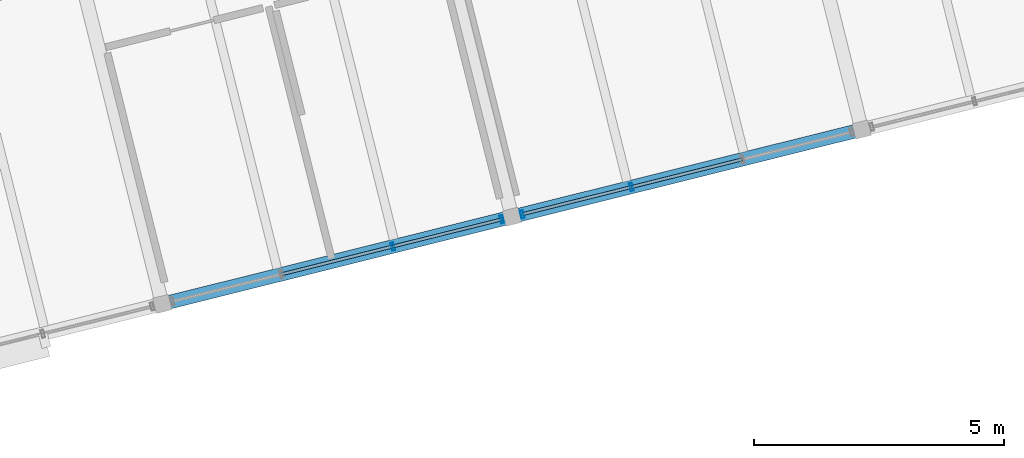
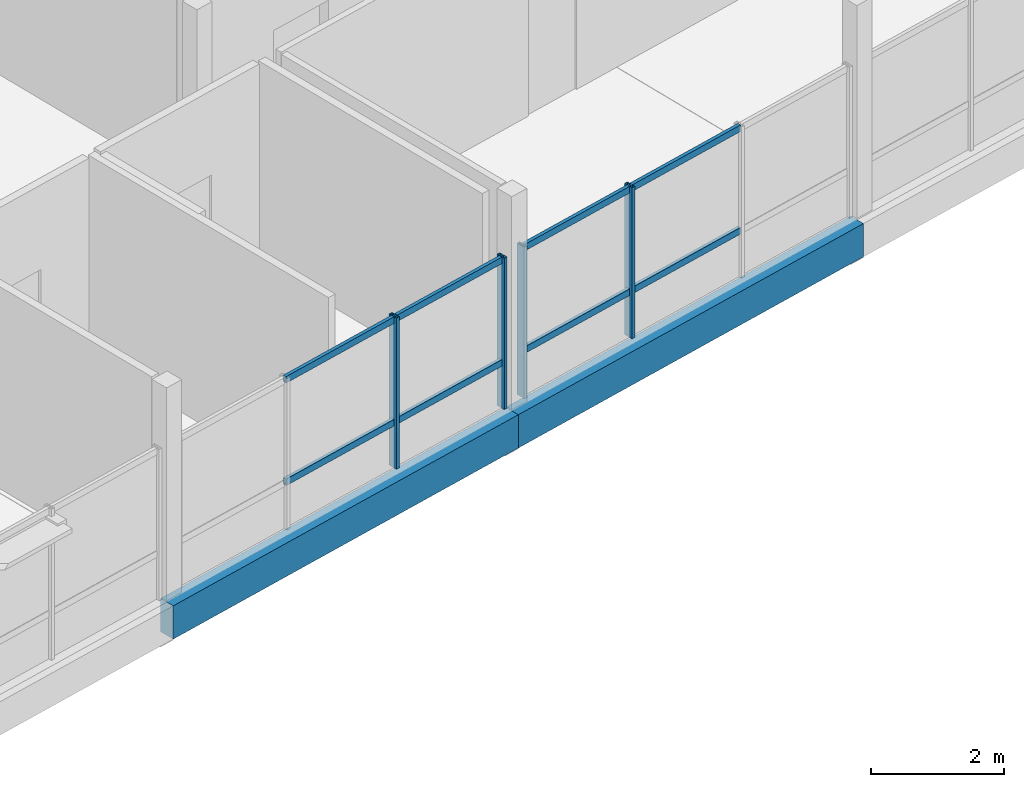
# One storey, part 7 of 25: 12 members, 2 beams, 2 elements without a shape of their own.
"""IFC4 building model written with IfcOpenShell, lengths in metres."""

from ifc_helpers import new_model, si_unit, direction, frame, origin, origin_2d, place, context, subcontext, project, spatial, rectangle, hollow_rectangle, extrude, material, layer, layer_set, material_profile, profile_set, type_object, element, aggregate, save


model = new_model("IFC4")

# Units and contexts
model_context = context("Model", 3, precision=1e-05, world=origin(), true_north=direction((0.0, 1.0)))
body_context = subcontext(model_context, "Body", "Model", "MODEL_VIEW")
ifc_project = project(units=[si_unit("LENGTHUNIT", "METRE"), si_unit("AREAUNIT", "SQUARE_METRE"), si_unit("VOLUMEUNIT", "CUBIC_METRE"), si_unit("PLANEANGLEUNIT", "RADIAN"), si_unit("MASSUNIT", "GRAM", prefix="KILO")], contexts=[model_context])

# Site, building, storey
site_placement = place(None, origin())
site = spatial("IfcSite", under=ifc_project, at=site_placement, CompositionType="ELEMENT")
building_placement = place(site_placement, origin())
building = spatial("IfcBuilding", under=site, at=building_placement, Name="Meriwether Solvik Hall", CompositionType="ELEMENT")
storey_placement = place(building_placement, frame((0.0, 0.0, 53.39990234375)))
storey = spatial("IfcBuildingStorey", under=building, at=storey_placement, Name="L13", CompositionType="ELEMENT", Elevation=53.39990234375)

# Beams
ifc_material_1 = material(Name="Glulam Douglas-Fir 24F-V8 GL28h", Category="wood")
ifc_material_profile_1 = material_profile(ifc_material_1, rectangle(XDim=0.27294921875, YDim=0.610107421875, at=origin_2d()), Name="GLB-273X610")
ifc_profile_set_1 = profile_set([ifc_material_profile_1], Name="Glulam Douglas-Fir 24F-V8 GL28h")
beam_type = type_object("IfcBeamType", Name="BM-GL-273X610", PredefinedType="SPANDREL", material=ifc_profile_set_1)
for number, where, z_axis, x_axis, name in (
    (1, (82.96044921875, 44.780517578125, -0.48486328125), (0.970299871507, 0.241905269381, 0.0), (-0.241905269381, 0.970299871507, 0.0), "Tower Girder TA:T3-T4 (L13)"),
    (2, (89.946533203125, 46.522216796875, -0.48486328125), (0.970291911955, 0.241937193493, 0.0), (-0.241937193493, 0.970291911955, 0.0), "Tower Girder TA:T4-T5 (L13)"),
):
    element("IfcBeam", number, at=place(storey_placement, frame(where, z_axis=z_axis, x_axis=x_axis)), inside=storey, type_object=beam_type, Name=name, PredefinedType="SPANDREL", context=body_context, shape_type="SweptSolid", body=[
        extrude(rectangle(XDim=0.27294921875, YDim=0.610107421875, at=origin_2d()), origin(), (0.0, 0.0, 1.0), 7.199951171875),
    ])

# Curtain wall, members
ifc_material_2 = material(Name="Thermally Broken Anodised Aluminium 6063-T6 and Low-E Glass", Category="aluminium")
ifc_layer_1 = layer(ifc_material_2, 0.179931640625)
ifc_layer_set_1 = layer_set([ifc_layer_1], Name="Thermally Broken Anodised Aluminium 6063-T6 and Low-E Glass")
curtain_wall_type_1 = type_object("IfcCurtainWallType", Name="CW-UNIT-F", PredefinedType="USERDEFINED", material=ifc_layer_set_1)
curtain_wall_1_placement = place(storey_placement, origin())
curtain_wall_1 = element("IfcCurtainWall", 3, at=curtain_wall_1_placement, inside=storey, type_object=curtain_wall_type_1, Name="Curtain Wall E0_B2 (L13)", ObjectType="UNITISED CURTAIN WALL", PredefinedType="USERDEFINED")
ifc_material_3 = material(Name="Anodised Aluminium 6063-T6", Category="aluminium")
ifc_material_profile_2 = material_profile(ifc_material_3, hollow_rectangle(XDim=0.06005859375, YDim=0.159912109375, WallThickness=0.00390625, at=origin_2d()), Name="CWM-60X160")
ifc_profile_set_2 = profile_set([ifc_material_profile_2], Name="Anodised Aluminium 6063-T6")
member_type_1 = type_object("IfcMemberType", Name="CW-MUL-60X160", PredefinedType="MULLION", material=ifc_profile_set_2)
member_1_placement = place(storey_placement, frame((89.7451171875, 46.47216796875, 0.0), z_axis=(0.0, 0.0, 1.0), x_axis=(-0.970295730764, -0.241921877598, 0.0)))
member_1 = element("IfcMember", 4, at=member_1_placement, type_object=member_type_1, Name="Curtain Wall Mullion 1", PredefinedType="MULLION", context=body_context, shape_type="SweptSolid", body=[
    extrude(hollow_rectangle(XDim=0.06005859375, YDim=0.159912109375, WallThickness=0.00390625, at=origin_2d()), origin(), (0.0, 0.0, 1.0), 2.77001953125),
])
member_2_placement = place(storey_placement, frame((87.56298828125, 45.927978515625, 0.0), z_axis=(0.0, 0.0, 1.0), x_axis=(-0.970295730764, -0.241921877598, 0.0)))
member_2 = element("IfcMember", 5, at=member_2_placement, type_object=member_type_1, Name="Curtain Wall Mullion 2", PredefinedType="MULLION", context=body_context, shape_type="SweptSolid", body=[
    extrude(hollow_rectangle(XDim=0.06005859375, YDim=0.159912109375, WallThickness=0.00390625, at=origin_2d()), origin(), (0.0, 0.0, 1.0), 2.77001953125),
])

ifc_material_4 = material(Name="Thermally Broken Anodised Aluminium 6063-T6 and Low-E Glass", Category="aluminium")
ifc_layer_2 = layer(ifc_material_4, 0.179931640625)
ifc_layer_set_2 = layer_set([ifc_layer_2], Name="Thermally Broken Anodised Aluminium 6063-T6 and Low-E Glass")
curtain_wall_type_2 = type_object("IfcCurtainWallType", Name="CW-UNIT-G", PredefinedType="USERDEFINED", material=ifc_layer_set_2)
curtain_wall_2_placement = place(storey_placement, origin())
curtain_wall_2 = element("IfcCurtainWall", 6, at=curtain_wall_2_placement, inside=storey, type_object=curtain_wall_type_2, Name="Curtain Wall E0_B3 (L13)", ObjectType="UNITISED CURTAIN WALL", PredefinedType="USERDEFINED")
member_3_placement = place(storey_placement, frame((92.330078125, 47.116455078125, 0.0), z_axis=(0.0, 0.0, 1.0), x_axis=(-0.970295696551, -0.241922014821, 0.0)))
member_3 = element("IfcMember", 7, at=member_3_placement, type_object=member_type_1, Name="Curtain Wall Mullion 3", PredefinedType="MULLION", context=body_context, shape_type="SweptSolid", body=[
    extrude(hollow_rectangle(XDim=0.06005859375, YDim=0.159912109375, WallThickness=0.00390625, at=origin_2d()), origin(), (0.0, 0.0, 1.0), 2.77001953125),
])
member_4_placement = place(storey_placement, frame((90.14794921875, 46.572509765625, 0.0), z_axis=(0.0, 0.0, 1.0), x_axis=(-0.970295696551, -0.241922014821, 0.0)))
member_4 = element("IfcMember", 8, at=member_4_placement, type_object=member_type_1, Name="Curtain Wall Mullion 4", PredefinedType="MULLION", context=body_context, shape_type="SweptSolid", body=[
    extrude(hollow_rectangle(XDim=0.06005859375, YDim=0.159912109375, WallThickness=0.00390625, at=origin_2d()), origin(), (0.0, 0.0, 1.0), 2.77001953125),
])

# Member
ifc_material_5 = material(Name="Anodised Aluminium 6063-T6", Category="aluminium")
ifc_material_profile_3 = material_profile(ifc_material_5, hollow_rectangle(XDim=0.06005859375, YDim=0.1201171875, WallThickness=0.00390625, at=origin_2d()), Name="CWT-60X120")
ifc_profile_set_3 = profile_set([ifc_material_profile_3], Name="Anodised Aluminium 6063-T6")
member_type_2 = type_object("IfcMemberType", Name="CW-TRN-60X120", PredefinedType="USERDEFINED", material=ifc_profile_set_3)
member_5_placement = place(storey_placement, frame((89.7451171875, 46.47216796875, 0.8310546875), z_axis=(-0.970282822978, -0.241973642025, 0.0), x_axis=(0.241973642025, -0.970282822978, 0.0)))
member_5 = element("IfcMember", 9, at=member_5_placement, type_object=member_type_2, Name="Curtain Wall Transom 1-sill", ObjectType="TRANSOM", PredefinedType="USERDEFINED", context=body_context, shape_type="SweptSolid", body=[
    extrude(hollow_rectangle(XDim=0.06005859375, YDim=0.1201171875, WallThickness=0.00390625, at=origin_2d()), origin(), (0.0, 0.0, 1.0), 2.2490234375),
])

member_6_placement = place(storey_placement, frame((89.7451171875, 46.47216796875, 2.710205078125), z_axis=(-0.970282822978, -0.241973642025, 0.0), x_axis=(0.241973642025, -0.970282822978, 0.0)))
member_6 = element("IfcMember", 10, at=member_6_placement, type_object=member_type_2, Name="Curtain Wall Transom 1-head", ObjectType="TRANSOM", PredefinedType="USERDEFINED", context=body_context, shape_type="SweptSolid", body=[
    extrude(hollow_rectangle(XDim=0.06005859375, YDim=0.1201171875, WallThickness=0.00390625, at=origin_2d()), origin(), (0.0, 0.0, 1.0), 2.2490234375),
])

member_7_placement = place(storey_placement, frame((87.56298828125, 45.927978515625, 0.8310546875), z_axis=(-0.97029929005, -0.241907601634, 0.0), x_axis=(0.241907601634, -0.97029929005, 0.0)))
member_7 = element("IfcMember", 11, at=member_7_placement, type_object=member_type_2, Name="Curtain Wall Transom 2-sill", ObjectType="TRANSOM", PredefinedType="USERDEFINED", context=body_context, shape_type="SweptSolid", body=[
    extrude(hollow_rectangle(XDim=0.06005859375, YDim=0.1201171875, WallThickness=0.00390625, at=origin_2d()), origin(), (0.0, 0.0, 1.0), 2.286865234375),
])

member_8_placement = place(storey_placement, frame((87.56298828125, 45.927978515625, 2.710205078125), z_axis=(-0.97029929005, -0.241907601634, 0.0), x_axis=(0.241907601634, -0.97029929005, 0.0)))
member_8 = element("IfcMember", 12, at=member_8_placement, type_object=member_type_2, Name="Curtain Wall Transom 2-head", ObjectType="TRANSOM", PredefinedType="USERDEFINED", context=body_context, shape_type="SweptSolid", body=[
    extrude(hollow_rectangle(XDim=0.06005859375, YDim=0.1201171875, WallThickness=0.00390625, at=origin_2d()), origin(), (0.0, 0.0, 1.0), 2.286865234375),
])

aggregate(curtain_wall_1, [member_1, member_2, member_5, member_6, member_7, member_8])

member_9_placement = place(storey_placement, frame((94.549072265625, 47.669921875, 0.8310546875), z_axis=(-0.970274227582, -0.242008105834, 0.0), x_axis=(0.242008105834, -0.970274227582, 0.0)))
member_9 = element("IfcMember", 13, at=member_9_placement, type_object=member_type_2, Name="Curtain Wall Transom 2-sill", ObjectType="TRANSOM", PredefinedType="USERDEFINED", context=body_context, shape_type="SweptSolid", body=[
    extrude(hollow_rectangle(XDim=0.06005859375, YDim=0.1201171875, WallThickness=0.00390625, at=origin_2d()), origin(), (0.0, 0.0, 1.0), 2.286865234375),
])

member_10_placement = place(storey_placement, frame((94.549072265625, 47.669921875, 2.710205078125), z_axis=(-0.970274227582, -0.242008105834, 0.0), x_axis=(0.242008105834, -0.970274227582, 0.0)))
member_10 = element("IfcMember", 14, at=member_10_placement, type_object=member_type_2, Name="Curtain Wall Transom 2-head", ObjectType="TRANSOM", PredefinedType="USERDEFINED", context=body_context, shape_type="SweptSolid", body=[
    extrude(hollow_rectangle(XDim=0.06005859375, YDim=0.1201171875, WallThickness=0.00390625, at=origin_2d()), origin(), (0.0, 0.0, 1.0), 2.286865234375),
])

member_11_placement = place(storey_placement, frame((92.330078125, 47.116455078125, 0.8310546875), z_axis=(-0.970308305597, -0.241871437108, 0.0), x_axis=(0.241871437108, -0.970308305597, 0.0)))
member_11 = element("IfcMember", 15, at=member_11_placement, type_object=member_type_2, Name="Curtain Wall Transom 3-sill", ObjectType="TRANSOM", PredefinedType="USERDEFINED", context=body_context, shape_type="SweptSolid", body=[
    extrude(hollow_rectangle(XDim=0.06005859375, YDim=0.1201171875, WallThickness=0.00390625, at=origin_2d()), origin(), (0.0, 0.0, 1.0), 2.2490234375),
])

member_12_placement = place(storey_placement, frame((92.330078125, 47.116455078125, 2.710205078125), z_axis=(-0.970308305597, -0.241871437108, 0.0), x_axis=(0.241871437108, -0.970308305597, 0.0)))
member_12 = element("IfcMember", 16, at=member_12_placement, type_object=member_type_2, Name="Curtain Wall Transom 3-head", ObjectType="TRANSOM", PredefinedType="USERDEFINED", context=body_context, shape_type="SweptSolid", body=[
    extrude(hollow_rectangle(XDim=0.06005859375, YDim=0.1201171875, WallThickness=0.00390625, at=origin_2d()), origin(), (0.0, 0.0, 1.0), 2.2490234375),
])

aggregate(curtain_wall_2, [member_3, member_4, member_9, member_10, member_11, member_12])

save(model, "model.ifc")
